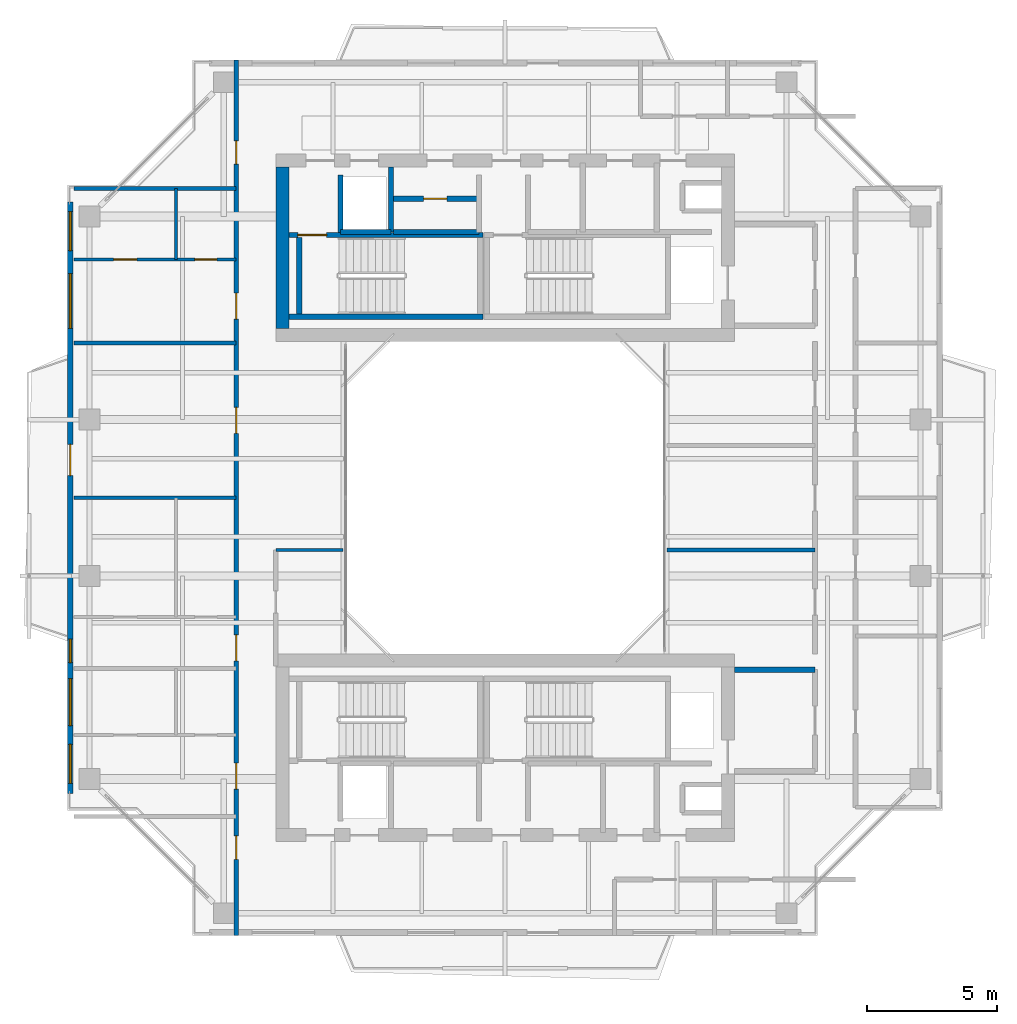
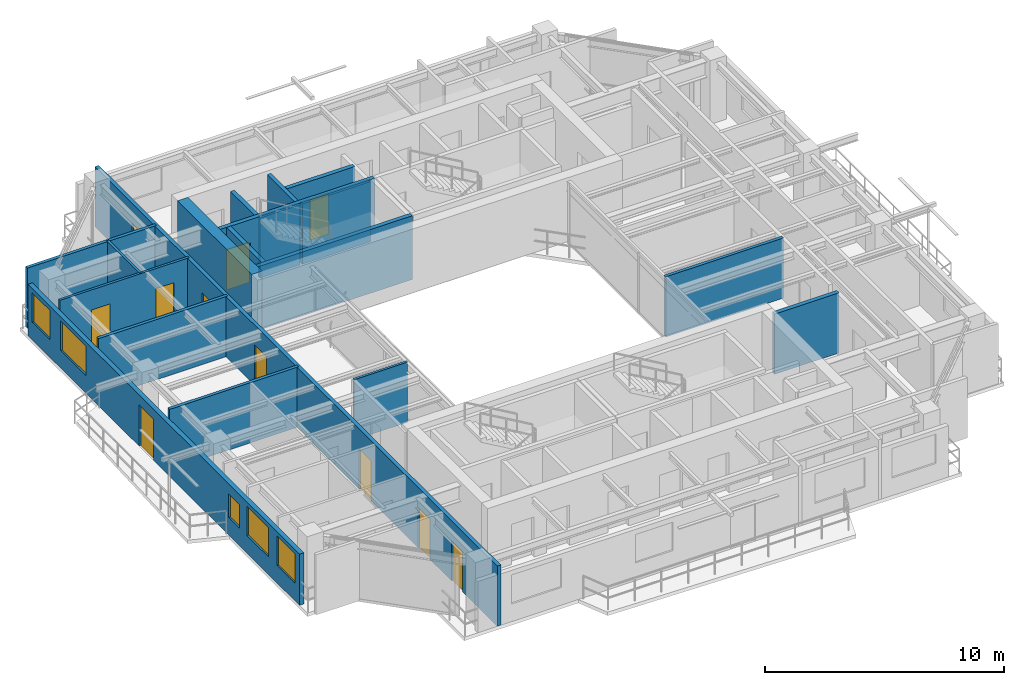
# One storey, part 11 of 16: 19 walls, 11 doors, 5 windows, 16 openings.
"""IFC4 building model written with IfcOpenShell, lengths in metres."""

from ifc_helpers import new_model, si_unit, direction, frame, frame_2d, origin, place, context, subcontext, project, spatial, rectangle, extrude, source, transform, mapped, material, layer, layer_set, type_object, element, fill, save


model = new_model("IFC4")

# Units and contexts
model_context = context("Model", 3, precision=1e-05, world=origin(), true_north=direction((0.0, 1.0)))
body_context = subcontext(model_context, "Body", "Model", "MODEL_VIEW")
ifc_project = project(units=[si_unit("LENGTHUNIT", "METRE"), si_unit("AREAUNIT", "SQUARE_METRE"), si_unit("VOLUMEUNIT", "CUBIC_METRE"), si_unit("PLANEANGLEUNIT", "RADIAN"), si_unit("MASSUNIT", "GRAM", prefix="KILO"), si_unit("THERMODYNAMICTEMPERATUREUNIT", "KELVIN"), si_unit("POWERUNIT", "WATT")], contexts=[model_context])

# Site, building, storey
site_placement = place(None, origin())
site = spatial("IfcSite", under=ifc_project, at=site_placement, CompositionType="ELEMENT")
building_placement = place(site_placement, origin())
building = spatial("IfcBuilding", under=site, at=building_placement, Name="Qiaomeng Ring Towers", CompositionType="ELEMENT")
storey_placement = place(building_placement, frame((0.0, 0.0, 210.0)))
storey = spatial("IfcBuildingStorey", under=building, at=storey_placement, Name="L61", CompositionType="ELEMENT", Elevation=210.0)

# Wall, openings, windows, door
ifc_material_1 = material(Name="Precast concrete C40", Category="concrete")
ifc_layer_1 = layer(ifc_material_1, 0.219970703125, Name="Precast concrete C40")
ifc_layer_set_1 = layer_set([ifc_layer_1], Name="Precast concrete C40")
wall_type_1 = type_object("IfcWallType", Name="ARC-WL-EW2", PredefinedType="STANDARD", material=ifc_layer_set_1)
wall_1_placement = place(storey_placement, frame((2.31005859375, 11.64990234375, 0.0), z_axis=(0.0, 0.0, 1.0), x_axis=(0.0, 1.0, 0.0)))
wall_1 = element("IfcWall", 1, at=wall_1_placement, inside=storey, type_object=wall_type_1, Name="L61 Tower 1 W Exterior Wall", PredefinedType="STANDARD", context=body_context, shape_type="SweptSolid", body=[
    extrude(rectangle(XDim=22.7001953125, YDim=0.219970703125, at=frame_2d((11.35009765625, 0.0))), origin(), (0.0, 0.0, 1.0), 2.610107421875),
])
opening_1_placement = place(wall_1_placement, frame((12.199951171875, 0.0, 0.0)))
opening_1 = element("IfcOpeningElement", 2, at=opening_1_placement, cuts=wall_1, Name="Opening BD1", PredefinedType="OPENING", context=body_context, shape_type="SweptSolid", body=[
    extrude(rectangle(XDim=1.199951171875, YDim=2.10009765625, at=frame_2d((0.60009765625, 1.050048828125))), frame((0.0, 0.119873046875, 0.0), z_axis=(0.0, -1.0, 0.0), x_axis=(1.0, 0.0, 0.0)), (0.0, 0.0, 1.0), 0.239990234375),
])
opening_2_placement = place(wall_1_placement, frame((2.607421875, 0.0, 0.89990234375)))
opening_2 = element("IfcOpeningElement", 3, at=opening_2_placement, cuts=wall_1, Name="Opening WN1", PredefinedType="OPENING", context=body_context, shape_type="SweptSolid", body=[
    extrude(rectangle(XDim=1.800048828125, YDim=1.5, at=frame_2d((0.89990234375, 0.75))), frame((0.0, 0.119873046875, 0.0), z_axis=(0.0, -1.0, 0.0), x_axis=(1.0, 0.0, 0.0)), (0.0, 0.0, 1.0), 0.239990234375),
])
opening_3_placement = place(wall_1_placement, frame((17.8525390625, 0.0, 0.89990234375)))
opening_3 = element("IfcOpeningElement", 4, at=opening_3_placement, cuts=wall_1, Name="Opening WN4", PredefinedType="OPENING", context=body_context, shape_type="SweptSolid", body=[
    extrude(rectangle(XDim=2.10009765625, YDim=1.5, at=frame_2d((1.050048828125, 0.75))), frame((0.0, 0.119873046875, 0.0), z_axis=(0.0, -1.0, 0.0), x_axis=(1.0, 0.0, 0.0)), (0.0, 0.0, 1.0), 0.239990234375),
])
opening_4_placement = place(wall_1_placement, frame((0.385009765625, 0.0, 0.89990234375)))
opening_4 = element("IfcOpeningElement", 5, at=opening_4_placement, cuts=wall_1, Name="Opening WN2", PredefinedType="OPENING", context=body_context, shape_type="SweptSolid", body=[
    extrude(rectangle(XDim=1.5, YDim=1.5, at=frame_2d((0.75, 0.75))), frame((0.0, 0.119873046875, 0.0), z_axis=(0.0, -1.0, 0.0), x_axis=(1.0, 0.0, 0.0)), (0.0, 0.0, 1.0), 0.239990234375),
])
opening_5_placement = place(wall_1_placement, frame((20.8349609375, 0.0, 0.89990234375)))
opening_5 = element("IfcOpeningElement", 6, at=opening_5_placement, cuts=wall_1, Name="Opening WN2", PredefinedType="OPENING", context=body_context, shape_type="SweptSolid", body=[
    extrude(rectangle(XDim=1.5, YDim=1.5, at=frame_2d((0.75, 0.75))), frame((0.0, 0.119873046875, 0.0), z_axis=(0.0, -1.0, 0.0), x_axis=(1.0, 0.0, 0.0)), (0.0, 0.0, 1.0), 0.239990234375),
])
opening_6_placement = place(wall_1_placement, frame((5.02490234375, 0.0, 0.89990234375)))
opening_6 = element("IfcOpeningElement", 7, at=opening_6_placement, cuts=wall_1, Name="Opening WN5", PredefinedType="OPENING", context=body_context, shape_type="SweptSolid", body=[
    extrude(rectangle(XDim=0.89990234375, YDim=1.199951171875, at=frame_2d((0.449951171875, 0.60009765625))), frame((0.0, 0.119873046875, 0.0), z_axis=(0.0, -1.0, 0.0), x_axis=(1.0, 0.0, 0.0)), (0.0, 0.0, 1.0), 0.239990234375),
])
ifc_material_2 = material(Name="Low-E dark-grey laminated double glazing", Category="glass")
window_type_1 = type_object("IfcWindowType", Name="ARC-WN-4", PartitioningType="TRIPLE_PANEL_VERTICAL", PredefinedType="WINDOW", material=ifc_material_2)
shared_shape_1 = source(origin(), body_context, "Body", "SweptSolid", [
    extrude(rectangle(XDim=2.10009765625, YDim=1.5, at=frame_2d((1.050048828125, 0.75))), frame((0.0, 0.030029296875, 0.0), z_axis=(0.0, -1.0, 0.0), x_axis=(1.0, 0.0, 0.0)), (0.0, 0.0, 1.0), 0.06005859375),
])
window_1_placement = place(opening_3_placement, origin())
window_1 = element("IfcWindow", 8, at=window_1_placement, inside=storey, type_object=window_type_1, Name="L61 Exterior Window WN4", OverallHeight=1.5, OverallWidth=2.10009765625, PartitioningType="TRIPLE_PANEL_VERTICAL", PredefinedType="WINDOW", context=body_context, shape_type="MappedRepresentation", body=[
    mapped(shared_shape_1, transform((0.0, 0.0, 0.0), x_axis=(1.0, 0.0, 0.0), y_axis=(0.0, 1.0, 0.0), z_axis=(0.0, 0.0, 1.0), scale=1.0)),
])
fill(opening_3, window_1)
door_type_1 = type_object("IfcDoorType", Name="ARC-DR-BD1", OperationType="NOTDEFINED", PredefinedType="DOOR", material=ifc_material_2)
shared_shape_2 = source(origin(), body_context, "Body", "SweptSolid", [
    extrude(rectangle(XDim=1.199951171875, YDim=2.10009765625, at=frame_2d((0.60009765625, 1.050048828125))), frame((0.0, 0.02490234375, 0.0), z_axis=(0.0, -1.0, 0.0), x_axis=(1.0, 0.0, 0.0)), (0.0, 0.0, 1.0), 0.050048828125),
])
door_1_placement = place(opening_1_placement, frame((1.199951171875, 0.0, 0.0), z_axis=(0.0, 0.0, 1.0), x_axis=(-1.0, 0.0, 0.0)))
door_1 = element("IfcDoor", 9, at=door_1_placement, inside=storey, type_object=door_type_1, Name="L61 W Balcony Glazed Door", OperationType="SINGLE_SWING_LEFT", OverallHeight=2.10009765625, OverallWidth=1.199951171875, PredefinedType="DOOR", context=body_context, shape_type="MappedRepresentation", body=[
    mapped(shared_shape_2, transform((0.0, 0.0, 0.0), x_axis=(1.0, 0.0, 0.0), y_axis=(0.0, 1.0, 0.0), z_axis=(0.0, 0.0, 1.0), scale=1.0)),
])
fill(opening_1, door_1)
window_type_2 = type_object("IfcWindowType", Name="ARC-WN-2", PartitioningType="DOUBLE_PANEL_VERTICAL", PredefinedType="WINDOW", material=ifc_material_2)
shared_shape_3 = source(origin(), body_context, "Body", "SweptSolid", [
    extrude(rectangle(XDim=1.5, YDim=1.5, at=frame_2d((0.75, 0.75))), frame((0.0, 0.030029296875, 0.0), z_axis=(0.0, -1.0, 0.0), x_axis=(1.0, 0.0, 0.0)), (0.0, 0.0, 1.0), 0.06005859375),
])
window_2_placement = place(opening_4_placement, origin())
window_2 = element("IfcWindow", 10, at=window_2_placement, inside=storey, type_object=window_type_2, Name="L61 Exterior Window WN2", OverallHeight=1.5, OverallWidth=1.5, PartitioningType="DOUBLE_PANEL_VERTICAL", PredefinedType="WINDOW", context=body_context, shape_type="MappedRepresentation", body=[
    mapped(shared_shape_3, transform((0.0, 0.0, 0.0), x_axis=(1.0, 0.0, 0.0), y_axis=(0.0, 1.0, 0.0), z_axis=(0.0, 0.0, 1.0), scale=1.0)),
])
fill(opening_4, window_2)
window_3_placement = place(opening_5_placement, origin())
window_3 = element("IfcWindow", 11, at=window_3_placement, inside=storey, type_object=window_type_2, Name="L61 Exterior Window WN2", OverallHeight=1.5, OverallWidth=1.5, PartitioningType="DOUBLE_PANEL_VERTICAL", PredefinedType="WINDOW", context=body_context, shape_type="MappedRepresentation", body=[
    mapped(shared_shape_3, transform((0.0, 0.0, 0.0), x_axis=(1.0, 0.0, 0.0), y_axis=(0.0, 1.0, 0.0), z_axis=(0.0, 0.0, 1.0), scale=1.0)),
])
fill(opening_5, window_3)
window_type_3 = type_object("IfcWindowType", Name="ARC-WN-1", PartitioningType="DOUBLE_PANEL_VERTICAL", PredefinedType="WINDOW", material=ifc_material_2)
shared_shape_4 = source(origin(), body_context, "Body", "SweptSolid", [
    extrude(rectangle(XDim=1.800048828125, YDim=1.5, at=frame_2d((0.89990234375, 0.75))), frame((0.0, 0.030029296875, 0.0), z_axis=(0.0, -1.0, 0.0), x_axis=(1.0, 0.0, 0.0)), (0.0, 0.0, 1.0), 0.06005859375),
])
window_4_placement = place(opening_2_placement, origin())
window_4 = element("IfcWindow", 12, at=window_4_placement, inside=storey, type_object=window_type_3, Name="L61 Exterior Window WN6", OverallHeight=1.5, OverallWidth=1.800048828125, PartitioningType="TRIPLE_PANEL_VERTICAL", PredefinedType="WINDOW", context=body_context, shape_type="MappedRepresentation", body=[
    mapped(shared_shape_4, transform((0.0, 0.0, 0.0), x_axis=(1.0, 0.0, 0.0), y_axis=(0.0, 1.0, 0.0), z_axis=(0.0, 0.0, 1.0), scale=1.0)),
])
fill(opening_2, window_4)
window_type_4 = type_object("IfcWindowType", Name="ARC-WN-5", PartitioningType="SINGLE_PANEL", PredefinedType="WINDOW", material=ifc_material_2)
shared_shape_5 = source(origin(), body_context, "Body", "SweptSolid", [
    extrude(rectangle(XDim=0.89990234375, YDim=1.199951171875, at=frame_2d((0.449951171875, 0.60009765625))), frame((0.0, 0.030029296875, 0.0), z_axis=(0.0, -1.0, 0.0), x_axis=(1.0, 0.0, 0.0)), (0.0, 0.0, 1.0), 0.06005859375),
])
window_5_placement = place(opening_6_placement, origin())
window_5 = element("IfcWindow", 13, at=window_5_placement, inside=storey, type_object=window_type_4, Name="L61 Exterior Window WN5", OverallHeight=1.199951171875, OverallWidth=0.89990234375, PartitioningType="SINGLE_PANEL", PredefinedType="WINDOW", context=body_context, shape_type="MappedRepresentation", body=[
    mapped(shared_shape_5, transform((0.0, 0.0, 0.0), x_axis=(1.0, 0.0, 0.0), y_axis=(0.0, 1.0, 0.0), z_axis=(0.0, 0.0, 1.0), scale=1.0)),
])
fill(opening_6, window_5)

# Walls
ifc_material_3 = material(Name="Autoclaved aerated concrete block", Category="concrete")
ifc_layer_2 = layer(ifc_material_3, 0.199951171875, Name="Autoclaved aerated concrete block")
ifc_layer_set_2 = layer_set([ifc_layer_2], Name="Autoclaved aerated concrete block")
wall_type_2 = type_object("IfcWallType", Name="ARC-WL-PW1", PredefinedType="PARTITIONING", material=ifc_layer_set_2)
wall_2_placement = place(storey_placement, frame((27.800048828125, 16.39990234375, 0.0), z_axis=(0.0, 0.0, 1.0), x_axis=(1.0, 0.0, 0.0)))
element("IfcWall", 14, at=wall_2_placement, inside=storey, type_object=wall_type_2, Name="L61 Interior Wall PW1", PredefinedType="PARTITIONING", context=body_context, shape_type="SweptSolid", body=[
    extrude(rectangle(XDim=3.099853515625, YDim=0.199951171875, at=frame_2d((1.5498046875, 0.0))), origin(), (0.0, 0.0, 1.0), 3.070068359375),
])
wall_3_placement = place(storey_placement, frame((12.679931640625, 33.18994140625, 0.0), z_axis=(0.0, 0.0, 1.0), x_axis=(0.0, 1.0, 0.0)))
element("IfcWall", 15, at=wall_3_placement, inside=storey, type_object=wall_type_2, Name="L61 Interior Wall PW1", PredefinedType="PARTITIONING", context=body_context, shape_type="SweptSolid", body=[
    extrude(rectangle(XDim=2.2099609375, YDim=0.199951171875, at=frame_2d((1.10498046875, 0.0))), origin(), (0.0, 0.0, 1.0), 3.070068359375),
])

# Wall, opening, door
wall_4_placement = place(storey_placement, frame((14.719970703125, 34.47998046875, 0.0), z_axis=(0.0, 0.0, 1.0), x_axis=(1.0, 0.0, 0.0)))
wall_4 = element("IfcWall", 16, at=wall_4_placement, inside=storey, type_object=wall_type_2, Name="L61 Interior Wall PW1", PredefinedType="PARTITIONING", context=body_context, shape_type="SweptSolid", body=[
    extrude(rectangle(XDim=3.280029296875, YDim=0.199951171875, at=frame_2d((1.64013671875, 0.0))), origin(), (0.0, 0.0, 1.0), 3.070068359375),
])
opening_7_placement = place(wall_4_placement, frame((1.14990234375, 0.0, 0.0)))
opening_7 = element("IfcOpeningElement", 17, at=opening_7_placement, cuts=wall_4, Name="Opening ID1", PredefinedType="OPENING", context=body_context, shape_type="SweptSolid", body=[
    extrude(rectangle(XDim=0.89990234375, YDim=2.050048828125, at=frame_2d((0.449951171875, 1.02490234375))), frame((0.0, 0.10986328125, 0.0), z_axis=(0.0, -1.0, 0.0), x_axis=(1.0, 0.0, 0.0)), (0.0, 0.0, 1.0), 0.219970703125),
])
ifc_material_4 = material(Name="Engineered oak timber", Category="wood")
door_type_2 = type_object("IfcDoorType", Name="ARC-DR-ID1", OperationType="NOTDEFINED", PredefinedType="DOOR", material=ifc_material_4)
shared_shape_6 = source(origin(), body_context, "Body", "SweptSolid", [
    extrude(rectangle(XDim=0.89990234375, YDim=2.050048828125, at=frame_2d((0.449951171875, 1.02490234375))), frame((0.0, 0.02490234375, 0.0), z_axis=(0.0, -1.0, 0.0), x_axis=(1.0, 0.0, 0.0)), (0.0, 0.0, 1.0), 0.050048828125),
])
door_2_placement = place(opening_7_placement, origin())
door_2 = element("IfcDoor", 18, at=door_2_placement, inside=storey, type_object=door_type_2, Name="L61 Door ID1", OperationType="SINGLE_SWING_RIGHT", OverallHeight=2.050048828125, OverallWidth=0.89990234375, PredefinedType="DOOR", context=body_context, shape_type="MappedRepresentation", body=[
    mapped(shared_shape_6, transform((0.0, 0.0, 0.0), x_axis=(1.0, 0.0, 0.0), y_axis=(0.0, 1.0, 0.0), z_axis=(0.0, 0.0, 1.0), scale=1.0)),
])
fill(opening_7, door_2)

# Wall
wall_5_placement = place(storey_placement, frame((14.719970703125, 33.199951171875, 0.0), z_axis=(0.0, 0.0, 1.0), x_axis=(1.0, 0.0, 0.0)))
element("IfcWall", 19, at=wall_5_placement, inside=storey, type_object=wall_type_2, Name="L61 Interior Wall PW1", PredefinedType="PARTITIONING", context=body_context, shape_type="SweptSolid", body=[
    extrude(rectangle(XDim=3.280029296875, YDim=0.199951171875, at=frame_2d((1.64013671875, 0.0))), origin(), (0.0, 0.0, 1.0), 3.070068359375),
])

# Wall, openings, doors
ifc_layer_3 = layer(ifc_material_3, 0.179931640625, Name="Autoclaved aerated concrete block")
ifc_layer_set_3 = layer_set([ifc_layer_3], Name="Autoclaved aerated concrete block")
wall_type_3 = type_object("IfcWallType", Name="ARC-WL-PW2", PredefinedType="PARTITIONING", material=ifc_layer_set_3)
wall_6_placement = place(storey_placement, frame((8.679931640625, 6.199951171875, 0.0), z_axis=(0.0, 0.0, 1.0), x_axis=(0.0, 1.0, 0.0)))
wall_6 = element("IfcWall", 20, at=wall_6_placement, inside=storey, type_object=wall_type_3, Name="L61 Interior Wall PW2", PredefinedType="PARTITIONING", context=body_context, shape_type="SweptSolid", body=[
    extrude(rectangle(XDim=33.60009765625, YDim=0.179931640625, at=frame_2d((16.800048828125, 0.0))), origin(), (0.0, 0.0, 1.0), 3.070068359375),
])
opening_8_placement = place(wall_6_placement, frame((29.60498046875, 0.0, 0.0)))
opening_8 = element("IfcOpeningElement", 21, at=opening_8_placement, cuts=wall_6, Name="Opening ID1", PredefinedType="OPENING", context=body_context, shape_type="SweptSolid", body=[
    extrude(rectangle(XDim=0.89990234375, YDim=2.050048828125, at=frame_2d((0.449951171875, 1.02490234375))), frame((0.0, 0.099853515625, 0.0), z_axis=(0.0, -1.0, 0.0), x_axis=(1.0, 0.0, 0.0)), (0.0, 0.0, 1.0), 0.199951171875),
])
opening_9_placement = place(wall_6_placement, frame((2.919921875, 0.0, 0.0)))
opening_9 = element("IfcOpeningElement", 22, at=opening_9_placement, cuts=wall_6, Name="Opening ID1", PredefinedType="OPENING", context=body_context, shape_type="SweptSolid", body=[
    extrude(rectangle(XDim=0.89990234375, YDim=2.050048828125, at=frame_2d((0.449951171875, 1.02490234375))), frame((0.0, 0.099853515625, 0.0), z_axis=(0.0, -1.0, 0.0), x_axis=(1.0, 0.0, 0.0)), (0.0, 0.0, 1.0), 0.199951171875),
])
opening_10_placement = place(wall_6_placement, frame((5.614990234375, 0.0, 0.0)))
opening_10 = element("IfcOpeningElement", 23, at=opening_10_placement, cuts=wall_6, Name="Opening FD4", PredefinedType="OPENING", context=body_context, shape_type="SweptSolid", body=[
    extrude(rectangle(XDim=1.0, YDim=2.050048828125, at=frame_2d((0.5, 1.02490234375))), frame((0.0, 0.099853515625, 0.0), z_axis=(0.0, -1.0, 0.0), x_axis=(1.0, 0.0, 0.0)), (0.0, 0.0, 1.0), 0.199951171875),
])
opening_11_placement = place(wall_6_placement, frame((10.5400390625, 0.0, 0.0)))
opening_11 = element("IfcOpeningElement", 24, at=opening_11_placement, cuts=wall_6, Name="Opening FD4", PredefinedType="OPENING", context=body_context, shape_type="SweptSolid", body=[
    extrude(rectangle(XDim=1.0, YDim=2.050048828125, at=frame_2d((0.5, 1.02490234375))), frame((0.0, 0.099853515625, 0.0), z_axis=(0.0, -1.0, 0.0), x_axis=(1.0, 0.0, 0.0)), (0.0, 0.0, 1.0), 0.199951171875),
])
opening_12_placement = place(wall_6_placement, frame((19.27001953125, 0.0, 0.0)))
opening_12 = element("IfcOpeningElement", 25, at=opening_12_placement, cuts=wall_6, Name="Opening FD4", PredefinedType="OPENING", context=body_context, shape_type="SweptSolid", body=[
    extrude(rectangle(XDim=1.0, YDim=2.050048828125, at=frame_2d((0.5, 1.02490234375))), frame((0.0, 0.099853515625, 0.0), z_axis=(0.0, -1.0, 0.0), x_axis=(1.0, 0.0, 0.0)), (0.0, 0.0, 1.0), 0.199951171875),
])
opening_13_placement = place(wall_6_placement, frame((23.655029296875, 0.0, 0.0)))
opening_13 = element("IfcOpeningElement", 26, at=opening_13_placement, cuts=wall_6, Name="Opening FD4", PredefinedType="OPENING", context=body_context, shape_type="SweptSolid", body=[
    extrude(rectangle(XDim=1.0, YDim=2.050048828125, at=frame_2d((0.5, 1.02490234375))), frame((0.0, 0.099853515625, 0.0), z_axis=(0.0, -1.0, 0.0), x_axis=(1.0, 0.0, 0.0)), (0.0, 0.0, 1.0), 0.199951171875),
])
ifc_material_5 = material(Name="Engineered fire-rated oak timber", Category="wood")
door_type_3 = type_object("IfcDoorType", Name="ARC-DR-FD4", OperationType="NOTDEFINED", PredefinedType="DOOR", material=ifc_material_5)
shared_shape_7 = source(origin(), body_context, "Body", "SweptSolid", [
    extrude(rectangle(XDim=1.0, YDim=2.050048828125, at=frame_2d((0.5, 1.02490234375))), frame((0.0, 0.02490234375, 0.0), z_axis=(0.0, -1.0, 0.0), x_axis=(1.0, 0.0, 0.0)), (0.0, 0.0, 1.0), 0.050048828125),
])
door_3_placement = place(opening_10_placement, origin())
door_3 = element("IfcDoor", 27, at=door_3_placement, inside=storey, type_object=door_type_3, Name="L61 Door FD4", OperationType="SINGLE_SWING_LEFT", OverallHeight=2.050048828125, OverallWidth=1.0, PredefinedType="DOOR", context=body_context, shape_type="MappedRepresentation", body=[
    mapped(shared_shape_7, transform((0.0, 0.0, 0.0), x_axis=(1.0, 0.0, 0.0), y_axis=(0.0, 1.0, 0.0), z_axis=(0.0, 0.0, 1.0), scale=1.0)),
])
fill(opening_10, door_3)
door_4_placement = place(opening_11_placement, origin())
door_4 = element("IfcDoor", 28, at=door_4_placement, inside=storey, type_object=door_type_3, Name="L61 Door FD4", OperationType="SINGLE_SWING_RIGHT", OverallHeight=2.050048828125, OverallWidth=1.0, PredefinedType="DOOR", context=body_context, shape_type="MappedRepresentation", body=[
    mapped(shared_shape_7, transform((0.0, 0.0, 0.0), x_axis=(1.0, 0.0, 0.0), y_axis=(0.0, 1.0, 0.0), z_axis=(0.0, 0.0, 1.0), scale=1.0)),
])
fill(opening_11, door_4)
door_5_placement = place(opening_12_placement, origin())
door_5 = element("IfcDoor", 29, at=door_5_placement, inside=storey, type_object=door_type_3, Name="L61 Door FD4", OperationType="SINGLE_SWING_LEFT", OverallHeight=2.050048828125, OverallWidth=1.0, PredefinedType="DOOR", context=body_context, shape_type="MappedRepresentation", body=[
    mapped(shared_shape_7, transform((0.0, 0.0, 0.0), x_axis=(1.0, 0.0, 0.0), y_axis=(0.0, 1.0, 0.0), z_axis=(0.0, 0.0, 1.0), scale=1.0)),
])
fill(opening_12, door_5)
door_6_placement = place(opening_13_placement, origin())
door_6 = element("IfcDoor", 30, at=door_6_placement, inside=storey, type_object=door_type_3, Name="L61 Door FD4", OperationType="SINGLE_SWING_RIGHT", OverallHeight=2.050048828125, OverallWidth=1.0, PredefinedType="DOOR", context=body_context, shape_type="MappedRepresentation", body=[
    mapped(shared_shape_7, transform((0.0, 0.0, 0.0), x_axis=(1.0, 0.0, 0.0), y_axis=(0.0, 1.0, 0.0), z_axis=(0.0, 0.0, 1.0), scale=1.0)),
])
fill(opening_13, door_6)
door_7_placement = place(opening_8_placement, origin())
door_7 = element("IfcDoor", 31, at=door_7_placement, inside=storey, type_object=door_type_2, Name="L61 Door ID1", OperationType="SINGLE_SWING_LEFT", OverallHeight=2.050048828125, OverallWidth=0.89990234375, PredefinedType="DOOR", context=body_context, shape_type="MappedRepresentation", body=[
    mapped(shared_shape_6, transform((0.0, 0.0, 0.0), x_axis=(1.0, 0.0, 0.0), y_axis=(0.0, 1.0, 0.0), z_axis=(0.0, 0.0, 1.0), scale=1.0)),
])
fill(opening_8, door_7)
door_8_placement = place(opening_9_placement, origin())
door_8 = element("IfcDoor", 32, at=door_8_placement, inside=storey, type_object=door_type_2, Name="L61 Door ID1", OperationType="SINGLE_SWING_RIGHT", OverallHeight=2.050048828125, OverallWidth=0.89990234375, PredefinedType="DOOR", context=body_context, shape_type="MappedRepresentation", body=[
    mapped(shared_shape_6, transform((0.0, 0.0, 0.0), x_axis=(1.0, 0.0, 0.0), y_axis=(0.0, 1.0, 0.0), z_axis=(0.0, 0.0, 1.0), scale=1.0)),
])
fill(opening_9, door_8)

# Walls
ifc_material_6 = material(Name="Gypsum fireboard steel-stud partition", Category="steel")
ifc_layer_4 = layer(ifc_material_6, 0.14990234375, Name="Gypsum fireboard steel-stud partition")
ifc_layer_set_4 = layer_set([ifc_layer_4], Name="Gypsum fireboard steel-stud partition")
wall_type_4 = type_object("IfcWallType", Name="ARC-WL-PW3", PredefinedType="PARTITIONING", material=ifc_layer_set_4)
for number, where, z_axis, x_axis, name in (
    (33, (2.449951171875, 34.8798828125, 0.0), (0.0, 0.0, 1.0), (1.0, 0.0, 0.0), "L61 Interior Wall PW3"),
    (34, (2.449951171875, 23.0, 0.0), (0.0, 0.0, 1.0), (1.0, 0.0, 0.0), "L61 Interior Wall PW3"),
    (35, (2.449951171875, 28.93994140625, 0.0), (0.0, 0.0, 1.0), (1.0, 0.0, 0.0), "L61 Interior Wall PW3"),
):
    element("IfcWall", number, at=place(storey_placement, frame(where, z_axis=z_axis, x_axis=x_axis)), inside=storey, type_object=wall_type_4, Name=name, PredefinedType="PARTITIONING", context=body_context, shape_type="SweptSolid", body=[
        extrude(rectangle(XDim=6.22998046875, YDim=0.14990234375, at=frame_2d((3.114990234375, 0.0))), origin(), (0.0, 0.0, 1.0), 3.070068359375),
    ])
wall_7_placement = place(storey_placement, frame((25.219970703125, 21.0, 0.0), z_axis=(0.0, 0.0, 1.0), x_axis=(1.0, 0.0, 0.0)))
element("IfcWall", 36, at=wall_7_placement, inside=storey, type_object=wall_type_4, Name="L61 Interior Wall PW3", PredefinedType="PARTITIONING", context=body_context, shape_type="SweptSolid", body=[
    extrude(rectangle(XDim=5.679931640625, YDim=0.14990234375, at=frame_2d((2.83984375, 0.0))), origin(), (0.0, 0.0, 1.0), 3.070068359375),
])

# Wall, openings, doors
ifc_material_7 = material(Name="Moisture-resistant gypsum steel-stud partition", Category="steel")
ifc_layer_5 = layer(ifc_material_7, 0.1201171875, Name="Moisture-resistant gypsum steel-stud partition")
ifc_layer_set_5 = layer_set([ifc_layer_5], Name="Moisture-resistant gypsum steel-stud partition")
wall_type_5 = type_object("IfcWallType", Name="ARC-WL-PW4", PredefinedType="PLUMBINGWALL", material=ifc_layer_set_5)
wall_8_placement = place(storey_placement, frame((2.449951171875, 32.14990234375, 0.0), z_axis=(0.0, 0.0, 1.0), x_axis=(1.0, 0.0, 0.0)))
wall_8 = element("IfcWall", 37, at=wall_8_placement, inside=storey, type_object=wall_type_5, Name="L61 Interior Wall PW4", PredefinedType="PLUMBINGWALL", context=body_context, shape_type="SweptSolid", body=[
    extrude(rectangle(XDim=6.22998046875, YDim=0.1201171875, at=frame_2d((3.114990234375, 0.0))), origin(), (0.0, 0.0, 1.0), 3.070068359375),
])
opening_14_placement = place(wall_8_placement, frame((1.52001953125, 0.0, 0.0)))
opening_14 = element("IfcOpeningElement", 38, at=opening_14_placement, cuts=wall_8, Name="Opening ID1", PredefinedType="OPENING", context=body_context, shape_type="SweptSolid", body=[
    extrude(rectangle(XDim=0.89990234375, YDim=2.050048828125, at=frame_2d((0.449951171875, 1.02490234375))), frame((0.0, 0.070068359375, 0.0), z_axis=(0.0, -1.0, 0.0), x_axis=(1.0, 0.0, 0.0)), (0.0, 0.0, 1.0), 0.14013671875),
])
opening_15_placement = place(wall_8_placement, frame((4.639892578125, 0.0, 0.0)))
opening_15 = element("IfcOpeningElement", 39, at=opening_15_placement, cuts=wall_8, Name="Opening ID2", PredefinedType="OPENING", context=body_context, shape_type="SweptSolid", body=[
    extrude(rectangle(XDim=0.85009765625, YDim=2.050048828125, at=frame_2d((0.425048828125, 1.02490234375))), frame((0.0, 0.070068359375, 0.0), z_axis=(0.0, -1.0, 0.0), x_axis=(1.0, 0.0, 0.0)), (0.0, 0.0, 1.0), 0.14013671875),
])
ifc_material_8 = material(Name="Moisture-resistant engineered timber", Category="wood")
door_type_4 = type_object("IfcDoorType", Name="ARC-DR-ID2", OperationType="NOTDEFINED", PredefinedType="DOOR", material=ifc_material_8)
shared_shape_8 = source(origin(), body_context, "Body", "SweptSolid", [
    extrude(rectangle(XDim=0.85009765625, YDim=2.050048828125, at=frame_2d((0.425048828125, 1.02490234375))), frame((0.0, 0.02490234375, 0.0), z_axis=(0.0, -1.0, 0.0), x_axis=(1.0, 0.0, 0.0)), (0.0, 0.0, 1.0), 0.050048828125),
])
door_9_placement = place(opening_15_placement, origin())
door_9 = element("IfcDoor", 40, at=door_9_placement, inside=storey, type_object=door_type_4, Name="L61 Door ID2", OperationType="SINGLE_SWING_LEFT", OverallHeight=2.050048828125, OverallWidth=0.85009765625, PredefinedType="DOOR", context=body_context, shape_type="MappedRepresentation", body=[
    mapped(shared_shape_8, transform((0.0, 0.0, 0.0), x_axis=(1.0, 0.0, 0.0), y_axis=(0.0, 1.0, 0.0), z_axis=(0.0, 0.0, 1.0), scale=1.0)),
])
fill(opening_15, door_9)
door_10_placement = place(opening_14_placement, origin())
door_10 = element("IfcDoor", 41, at=door_10_placement, inside=storey, type_object=door_type_2, Name="L61 Door ID1", OperationType="SINGLE_SWING_RIGHT", OverallHeight=2.050048828125, OverallWidth=0.89990234375, PredefinedType="DOOR", context=body_context, shape_type="MappedRepresentation", body=[
    mapped(shared_shape_6, transform((0.0, 0.0, 0.0), x_axis=(1.0, 0.0, 0.0), y_axis=(0.0, 1.0, 0.0), z_axis=(0.0, 0.0, 1.0), scale=1.0)),
])
fill(opening_14, door_10)

# Walls
wall_9_placement = place(storey_placement, frame((6.3701171875, 32.14990234375, 0.0), z_axis=(0.0, 0.0, 1.0), x_axis=(0.0, 1.0, 0.0)))
element("IfcWall", 42, at=wall_9_placement, inside=storey, type_object=wall_type_5, Name="L61 Interior Wall PW4", PredefinedType="PLUMBINGWALL", context=body_context, shape_type="SweptSolid", body=[
    extrude(rectangle(XDim=2.72998046875, YDim=0.1201171875, at=frame_2d((1.364990234375, 0.0))), origin(), (0.0, 0.0, 1.0), 3.070068359375),
])
wall_10_placement = place(storey_placement, frame((10.199951171875, 21.0, 0.0), z_axis=(0.0, 0.0, 1.0), x_axis=(1.0, 0.0, 0.0)))
element("IfcWall", 43, at=wall_10_placement, inside=storey, type_object=wall_type_5, Name="L61 Interior Wall PW4", PredefinedType="PLUMBINGWALL", context=body_context, shape_type="SweptSolid", body=[
    extrude(rectangle(XDim=2.580078125, YDim=0.1201171875, at=frame_2d((1.2900390625, 0.0))), origin(), (0.0, 0.0, 1.0), 3.070068359375),
])
ifc_material_9 = material(Name="Concrete C40", Category="concrete")
ifc_layer_6 = layer(ifc_material_9, 0.199951171875, Name="Concrete C40")
ifc_layer_set_6 = layer_set([ifc_layer_6], Name="Concrete C40")
wall_type_6 = type_object("IfcWallType", Name="STR-WL-STSHAFT", PredefinedType="SHEAR", material=ifc_layer_set_6)
wall_11_placement = place(storey_placement, frame((12.679931640625, 33.199951171875, 0.0), z_axis=(0.0, 0.0, 1.0), x_axis=(1.0, 0.0, 0.0)))
element("IfcWall", 44, at=wall_11_placement, inside=storey, type_object=wall_type_6, Name="L61 Lift LP5 Shaft Back Wall", PredefinedType="SHEAR", context=body_context, shape_type="SweptSolid", body=[
    extrude(rectangle(XDim=1.940185546875, YDim=0.179931640625, at=frame_2d((0.97021484375, 0.0))), origin(), (0.0, 0.0, 1.0), 3.070068359375),
])
wall_12_placement = place(storey_placement, frame((14.6201171875, 33.199951171875, 0.0), z_axis=(0.0, 0.0, 1.0), x_axis=(0.0, 1.0, 0.0)))
element("IfcWall", 45, at=wall_12_placement, inside=storey, type_object=wall_type_6, Name="L61 Lift LP5-LP3 Shaft Divider Wall", PredefinedType="SHEAR", context=body_context, shape_type="SweptSolid", body=[
    extrude(rectangle(XDim=2.5, YDim=0.179931640625, at=frame_2d((1.25, 0.0))), origin(), (0.0, 0.0, 1.0), 3.070068359375),
])
wall_13_placement = place(storey_placement, frame((10.699951171875, 29.949951171875, 0.0), z_axis=(0.0, 0.0, 1.0), x_axis=(1.0, 0.0, 0.0)))
element("IfcWall", 46, at=wall_13_placement, inside=storey, type_object=wall_type_6, Name="L61 Stair ST1 South Shaft Shear Wall", PredefinedType="SHEAR", context=body_context, shape_type="SweptSolid", body=[
    extrude(rectangle(XDim=7.449951171875, YDim=0.199951171875, at=frame_2d((3.72509765625, 0.0))), origin(), (0.0, 0.0, 1.0), 3.25),
])

# Wall, opening, door
wall_14_placement = place(storey_placement, frame((10.699951171875, 33.090087890625, 0.0), z_axis=(0.0, 0.0, 1.0), x_axis=(1.0, 0.0, 0.0)))
wall_14 = element("IfcWall", 47, at=wall_14_placement, inside=storey, type_object=wall_type_6, Name="L61 Stair ST1 North Shaft Shear Wall", PredefinedType="SHEAR", context=body_context, shape_type="SweptSolid", body=[
    extrude(rectangle(XDim=7.449951171875, YDim=0.199951171875, at=frame_2d((3.72509765625, 0.0))), origin(), (0.0, 0.0, 1.0), 3.25),
])
opening_16_placement = place(wall_14_placement, frame((0.35009765625, 0.0, 0.0)))
opening_16 = element("IfcOpeningElement", 48, at=opening_16_placement, cuts=wall_14, Name="Opening FD3", PredefinedType="OPENING", context=body_context, shape_type="SweptSolid", body=[
    extrude(rectangle(XDim=1.10009765625, YDim=2.050048828125, at=frame_2d((0.550048828125, 1.02490234375))), frame((0.0, 0.10986328125, 0.0), z_axis=(0.0, -1.0, 0.0), x_axis=(1.0, 0.0, 0.0)), (0.0, 0.0, 1.0), 0.219970703125),
])
ifc_material_10 = material(Name="Galvanised steel", Category="steel")
door_type_5 = type_object("IfcDoorType", Name="ARC-DR-FD3", OperationType="NOTDEFINED", PredefinedType="DOOR", material=ifc_material_10)
shared_shape_9 = source(origin(), body_context, "Body", "SweptSolid", [
    extrude(rectangle(XDim=1.10009765625, YDim=2.050048828125, at=frame_2d((0.550048828125, 1.02490234375))), frame((0.0, 0.02490234375, 0.0), z_axis=(0.0, -1.0, 0.0), x_axis=(1.0, 0.0, 0.0)), (0.0, 0.0, 1.0), 0.050048828125),
])
door_11_placement = place(opening_16_placement, origin())
door_11 = element("IfcDoor", 49, at=door_11_placement, inside=storey, type_object=door_type_5, Name="L61 Stair ST1 Exit Door", OperationType="SINGLE_SWING_LEFT", OverallHeight=2.050048828125, OverallWidth=1.10009765625, PredefinedType="DOOR", context=body_context, shape_type="MappedRepresentation", body=[
    mapped(shared_shape_9, transform((0.0, 0.0, 0.0), x_axis=(1.0, 0.0, 0.0), y_axis=(0.0, 1.0, 0.0), z_axis=(0.0, 0.0, 1.0), scale=1.0)),
])
fill(opening_16, door_11)

# Walls
wall_15_placement = place(storey_placement, frame((11.10009765625, 30.050048828125, 0.0), z_axis=(0.0, 0.0, 1.0), x_axis=(0.0, 1.0, 0.0)))
element("IfcWall", 50, at=wall_15_placement, inside=storey, type_object=wall_type_6, Name="L61 Stair ST1 West Shaft Shear Wall", PredefinedType="SHEAR", context=body_context, shape_type="SweptSolid", body=[
    extrude(rectangle(XDim=2.93994140625, YDim=0.199951171875, at=frame_2d((1.469970703125, 0.0))), origin(), (0.0, 0.0, 1.0), 3.25),
])
ifc_layer_7 = layer(ifc_material_9, 0.5, Name="Concrete C40")
ifc_layer_set_7 = layer_set([ifc_layer_7], Name="Concrete C40")
wall_type_7 = type_object("IfcWallType", Name="STR-WL-SW3", PredefinedType="SHEAR", material=ifc_layer_set_7)
wall_16_placement = place(storey_placement, frame((10.449951171875, 29.5, 0.0), z_axis=(0.0, 0.0, 1.0), x_axis=(0.0, 1.0, 0.0)))
element("IfcWall", 51, at=wall_16_placement, inside=storey, type_object=wall_type_7, Name="L61 T1NC west core shear wall", PredefinedType="SHEAR", context=body_context, shape_type="SweptSolid", body=[
    extrude(rectangle(XDim=6.199951171875, YDim=0.5, at=frame_2d((3.10009765625, 0.0))), origin(), (0.0, 0.0, 1.0), 3.25),
])

save(model, "model.ifc")
